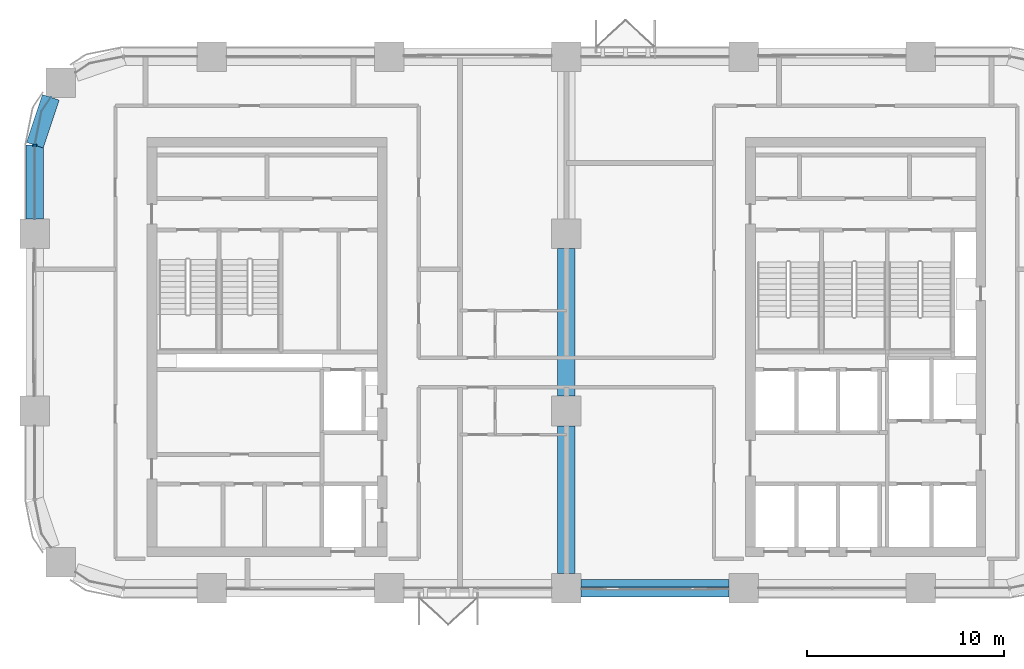
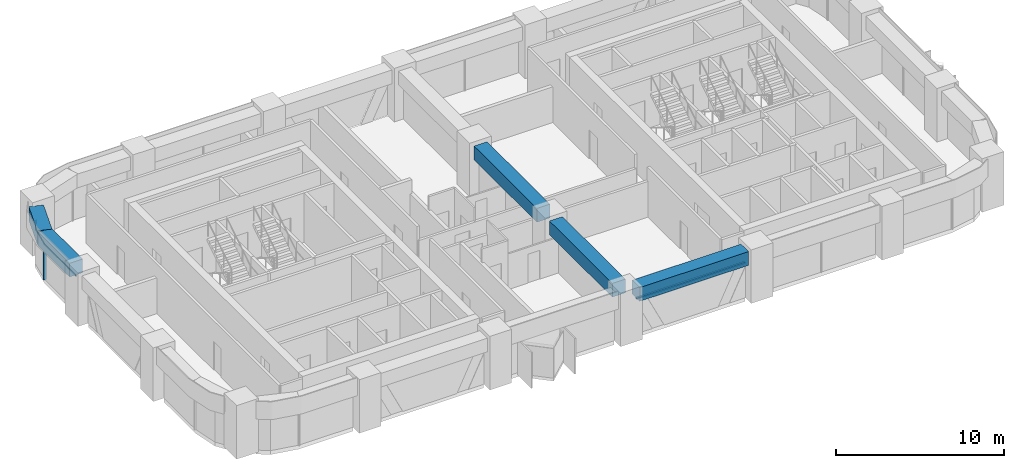
# One storey, part 3 of 13: 5 beams, 3 members, 2 elements without a shape of their own.
"""IFC4 building model written with IfcOpenShell, lengths in metres."""

from ifc_helpers import new_model, si_unit, direction, frame, origin, origin_2d, place, context, subcontext, project, spatial, polyline, rectangle, outline, extrude, material, material_profile, profile_set, type_object, element, aggregate, save


model = new_model("IFC4")

# Units and contexts
model_context = context("Model", 3, precision=1e-05, world=origin(), true_north=direction((0.0, 1.0)))
body_context = subcontext(model_context, "Body", "Model", "MODEL_VIEW")
ifc_project = project(units=[si_unit("LENGTHUNIT", "METRE"), si_unit("AREAUNIT", "SQUARE_METRE"), si_unit("VOLUMEUNIT", "CUBIC_METRE"), si_unit("PLANEANGLEUNIT", "RADIAN"), si_unit("MASSUNIT", "GRAM", prefix="KILO")], contexts=[model_context])

# Site, building, storey
site_placement = place(None, origin())
site = spatial("IfcSite", under=ifc_project, at=site_placement, CompositionType="ELEMENT")
building_placement = place(site_placement, origin())
building = spatial("IfcBuilding", under=site, at=building_placement, Name="Tessera Arch", CompositionType="ELEMENT")
storey_placement = place(building_placement, frame((0.0, 0.0, 162.199951171875)))
storey = spatial("IfcBuildingStorey", under=building, at=storey_placement, Name="L38", CompositionType="ELEMENT", Elevation=162.199951171875)

# Curtain wall, members
ifc_material_1 = material(Name="CW2 curtain wall")
curtain_wall_type_1 = type_object("IfcCurtainWallType", Name="CW2 curtain wall", PredefinedType="NOTDEFINED", material=ifc_material_1)
curtain_wall_1_placement = place(storey_placement, origin())
curtain_wall_1 = element("IfcCurtainWall", 1, at=curtain_wall_1_placement, inside=storey, type_object=curtain_wall_type_1, Name="CW2 curtain wall W0.27/0 L38", PredefinedType="NOTDEFINED")
ifc_material_2 = material(Name="Anodised aluminium pale metal", Category="aluminium")
ifc_material_profile_1 = material_profile(ifc_material_2, rectangle(XDim=0.199951171875, YDim=0.080078125, at=origin_2d()), Name="AL 80x200")
ifc_profile_set_1 = profile_set([ifc_material_profile_1], Name="Anodised aluminium pale metal")
member_type_1 = type_object("IfcMemberType", Name="CW2 mullion", PredefinedType="MULLION", material=ifc_profile_set_1)
member_1_placement = place(storey_placement, frame((0.0, 49.5, 0.0), z_axis=(0.0, 0.0, 1.0), x_axis=(1.0, 0.0, 0.0)))
member_1 = element("IfcMember", 2, at=member_1_placement, type_object=member_type_1, Name="CW2 mullion W0.27/0 1", PredefinedType="MULLION", context=body_context, shape_type="SweptSolid", body=[
    extrude(rectangle(XDim=0.199951171875, YDim=0.080078125, at=origin_2d()), origin(), (0.0, 0.0, 1.0), 2.5),
])
ifc_material_3 = material(Name="Anodised aluminium pale metal", Category="aluminium")
ifc_material_profile_2 = material_profile(ifc_material_3, rectangle(XDim=0.199951171875, YDim=0.10009765625, at=origin_2d()), Name="AL 200x100")
ifc_profile_set_2 = profile_set([ifc_material_profile_2], Name="Anodised aluminium pale metal")
member_type_2 = type_object("IfcMemberType", Name="CW2 transom", PredefinedType="USERDEFINED", material=ifc_profile_set_2)
member_2_placement = place(storey_placement, frame((0.0, 0.0, 2.5)))
member_2 = element("IfcMember", 3, at=member_2_placement, type_object=member_type_2, Name="CW2 transom W0.27/0 1", ObjectType="TRANSOM", PredefinedType="USERDEFINED", context=body_context, shape_type="SweptSolid", body=[
    extrude(outline(polyline([(0.351806640625, 51.21826171875), (0.8251953125, 51.926513671875), (0.80859375, 51.9375), (0.3330078125, 51.22607421875), (-0.010009765625, 49.5009765625), (-0.010009765625, 45.75), (0.010009765625, 45.75), (0.010009765625, 49.4990234375), (0.351806640625, 51.21826171875)])), origin(), (0.0, 0.0, 1.0), 0.10009765625),
])
aggregate(curtain_wall_1, [member_1, member_2])

# Curtain wall, member
ifc_material_4 = material(Name="CW3 curtain wall")
curtain_wall_type_2 = type_object("IfcCurtainWallType", Name="CW3 curtain wall", PredefinedType="NOTDEFINED", material=ifc_material_4)
curtain_wall_2_placement = place(storey_placement, origin())
curtain_wall_2 = element("IfcCurtainWall", 4, at=curtain_wall_2_placement, inside=storey, type_object=curtain_wall_type_2, Name="CW3 curtain wall S27.0/3 L38", PredefinedType="NOTDEFINED")
ifc_material_5 = material(Name="Anodised aluminium pale metal", Category="aluminium")
ifc_material_profile_3 = material_profile(ifc_material_5, rectangle(XDim=0.139892578125, YDim=0.10009765625, at=origin_2d()), Name="AL 140x100")
ifc_profile_set_3 = profile_set([ifc_material_profile_3], Name="Anodised aluminium pale metal")
member_type_3 = type_object("IfcMemberType", Name="CW3 transom", PredefinedType="USERDEFINED", material=ifc_profile_set_3)
member_3_placement = place(storey_placement, frame((27.75, 27.0, 2.550048828125), z_axis=(1.0, 0.0, 0.0), x_axis=(0.0, 1.0, 0.0)))
member_3 = element("IfcMember", 5, at=member_3_placement, type_object=member_type_3, Name="CW3 transom S27.0/3 1.1", ObjectType="TRANSOM", PredefinedType="USERDEFINED", context=body_context, shape_type="SweptSolid", body=[
    extrude(rectangle(XDim=0.139892578125, YDim=0.10009765625, at=origin_2d()), origin(), (0.0, 0.0, 1.0), 7.5),
])
aggregate(curtain_wall_2, [member_3])

# Beams
ifc_material_6 = material(Name="Concrete C70/85", Category="concrete")
ifc_material_profile_4 = material_profile(ifc_material_6, rectangle(XDim=0.89990234375, YDim=1.0, at=origin_2d()), Name="RC spandrel beam 900 x 1000 Concrete C70/85")
ifc_profile_set_4 = profile_set([ifc_material_profile_4], Name="Concrete C70/85")
beam_type = type_object("IfcBeamType", Name="RC spandrel beam 900 x 1000 Concrete C70/85", PredefinedType="BEAM", material=ifc_profile_set_4)
beam_1_placement = place(storey_placement, frame((0.81689453125, 51.931884765625, 3.10009765625), z_axis=(-0.31842525032, -0.947947973234, 0.0), x_axis=(0.947947973234, -0.31842525032, 0.0)))
element("IfcBeam", 6, at=beam_1_placement, inside=storey, type_object=beam_type, Name="Spandrel beam L38 W0.27/0.1", PredefinedType="BEAM", context=body_context, shape_type="SweptSolid", body=[
    extrude(rectangle(XDim=0.89990234375, YDim=1.0, at=origin_2d()), origin(), (0.0, 0.0, 1.0), 2.5654296875),
])
beam_2_placement = place(storey_placement, frame((0.0, 49.5, 3.10009765625), z_axis=(0.0, -1.0, 0.0), x_axis=(1.0, 0.0, 0.0)))
element("IfcBeam", 7, at=beam_2_placement, inside=storey, type_object=beam_type, Name="Spandrel beam L38 W0.27/0.2", PredefinedType="BEAM", context=body_context, shape_type="SweptSolid", body=[
    extrude(rectangle(XDim=0.89990234375, YDim=1.0, at=origin_2d()), origin(), (0.0, 0.0, 1.0), 3.75),
])
for number, where, z_axis, x_axis, name in (
    (8, (27.75, 27.0, 3.10009765625), (1.0, 0.0, 0.0), (0.0, 1.0, 0.0), "Spandrel beam L38 S27.0/3"),
    (9, (27.0, 27.75, 3.10009765625), (0.0, 1.0, 0.0), (-1.0, 0.0, 0.0), "Interface beam L38 I0C4D-C4E"),
    (10, (27.0, 36.75, 3.10009765625), (0.0, 1.0, 0.0), (-1.0, 0.0, 0.0), "Interface beam L38 I0C4E-C4F"),
):
    element("IfcBeam", number, at=place(storey_placement, frame(where, z_axis=z_axis, x_axis=x_axis)), inside=storey, type_object=beam_type, Name=name, PredefinedType="BEAM", context=body_context, shape_type="SweptSolid", body=[
        extrude(rectangle(XDim=0.89990234375, YDim=1.0, at=origin_2d()), origin(), (0.0, 0.0, 1.0), 7.5),
    ])

save(model, "model.ifc")
